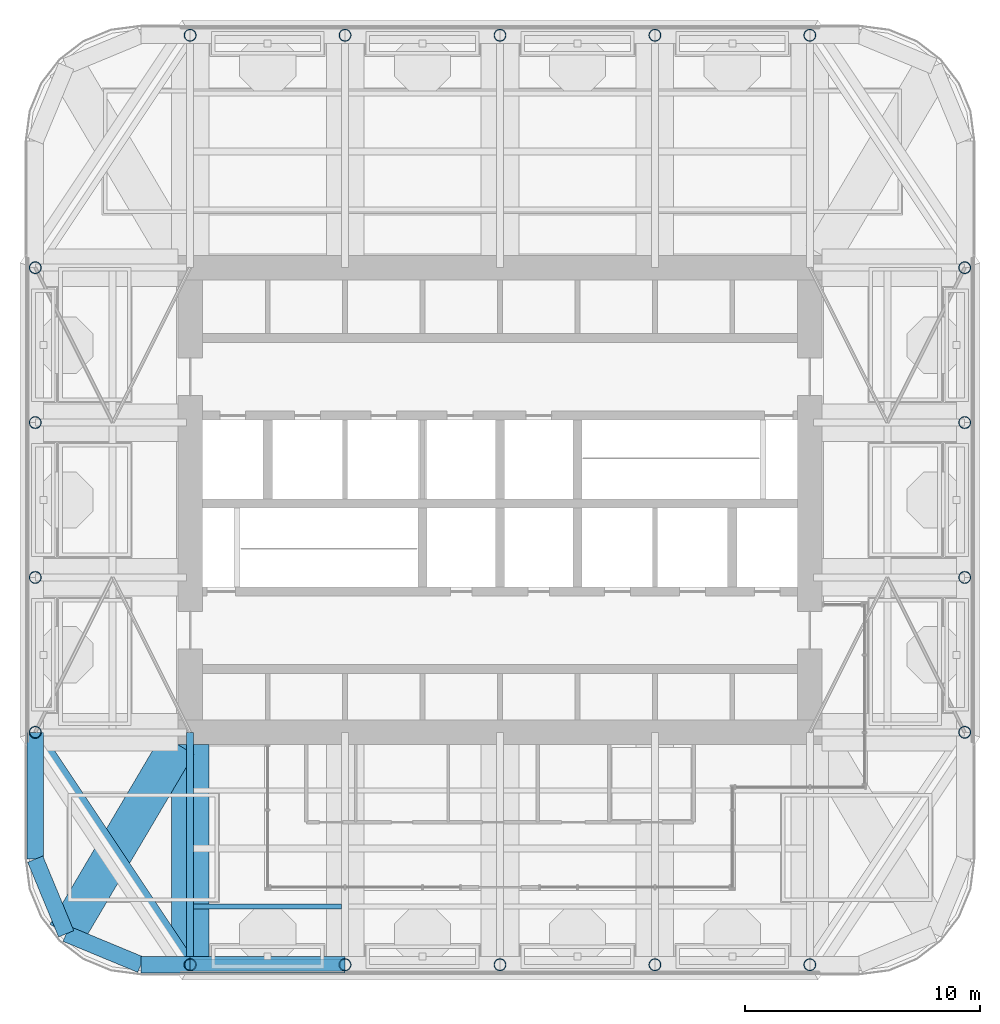
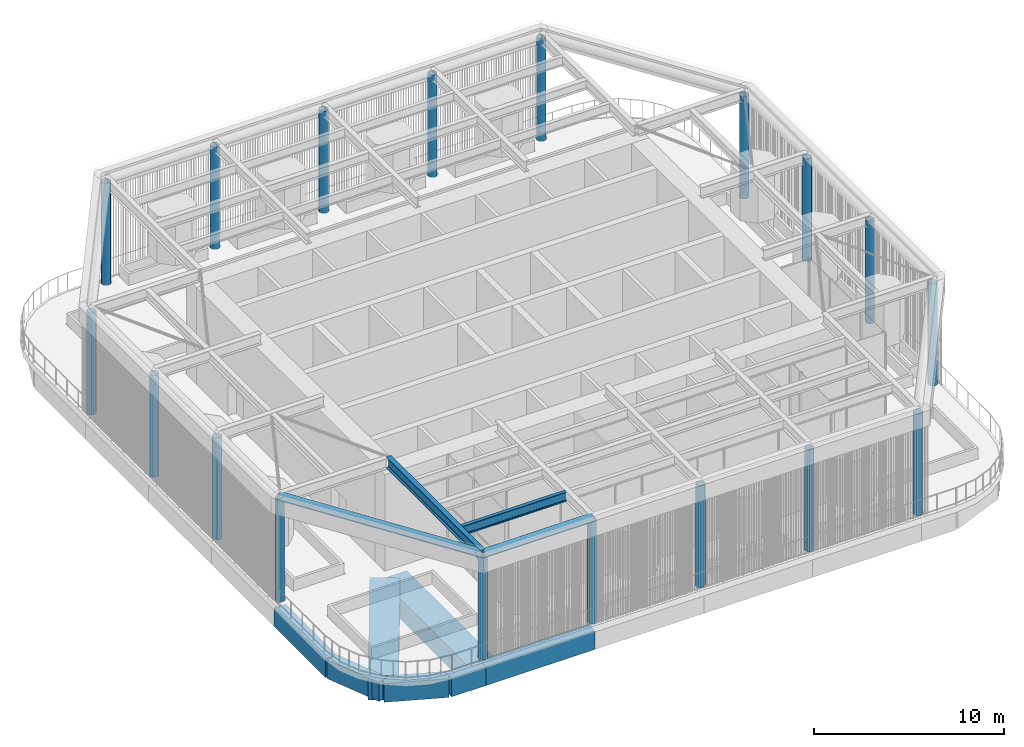
# One storey, part 1 of 22: 18 columns, 10 beams, 1 member.
"""IFC4 building model written with IfcOpenShell, lengths in metres."""

from ifc_helpers import new_model, si_unit, direction, frame, origin, origin_2d, place, context, subcontext, project, spatial, rectangle, hollow_circle, i_section, extrude, material, material_profile, profile_set, type_object, element, save


model = new_model("IFC4")

# Units and contexts
model_context = context("Model", 3, precision=1e-05, world=origin(), true_north=direction((0.0, 1.0)))
body_context = subcontext(model_context, "Body", "Model", "MODEL_VIEW")
ifc_project = project(units=[si_unit("LENGTHUNIT", "METRE"), si_unit("AREAUNIT", "SQUARE_METRE"), si_unit("VOLUMEUNIT", "CUBIC_METRE"), si_unit("PLANEANGLEUNIT", "RADIAN"), si_unit("MASSUNIT", "GRAM", prefix="KILO")], contexts=[model_context])

# Site, building, storey
site_placement = place(None, origin())
site = spatial("IfcSite", under=ifc_project, at=site_placement, CompositionType="ELEMENT")
building_placement = place(site_placement, origin())
building = spatial("IfcBuilding", under=site, at=building_placement, Name="Cobogo Forest Laboratory Tower", CompositionType="ELEMENT")
storey_placement = place(building_placement, frame((0.0, 0.0, 292.800048828125)))
storey = spatial("IfcBuildingStorey", under=building, at=storey_placement, Name="RF", CompositionType="ELEMENT", Elevation=292.800048828125)

# Columns
ifc_material_1 = material(Name="Steel S355", Category="steel")
ifc_material_profile_1 = material_profile(ifc_material_1, hollow_circle(Radius=0.25390625, WallThickness=0.01611328125, at=origin_2d()), Name="CHS 508x16")
ifc_profile_set_1 = profile_set([ifc_material_profile_1], Name="Steel S355")
column_type = type_object("IfcColumnType", Name="Crown frame post CHS 508x16", PredefinedType="COLUMN", material=ifc_profile_set_1)
for number, where, z_axis, x_axis, name in (
    (1, (13.199951171875, 3.300048828125, 0.0), (0.0, 0.0, 1.0), (1.0, 0.0, 0.0), "Column CAN-3-A.1 RF"),
    (2, (19.800048828125, 3.300048828125, 0.0), (0.0, 0.0, 1.0), (1.0, 0.0, 0.0), "Column CAN-4-A.1 RF"),
    (3, (26.39990234375, 3.300048828125, 0.0), (0.0, 0.0, 1.0), (1.0, 0.0, 0.0), "Column CAN-5-A.1 RF"),
    (4, (33.0, 3.300048828125, 0.0), (0.0, 0.0, 1.0), (1.0, 0.0, 0.0), "Column CAN-6-A.1 RF"),
    (5, (39.60009765625, 3.300048828125, 0.0), (0.0, 0.0, 1.0), (1.0, 0.0, 0.0), "Column CAN-7-A.1 RF"),
    (6, (6.60009765625, 13.199951171875, 0.0), (0.0, 0.0, 1.0), (1.0, 0.0, 0.0), "Column CAN-2-C RF"),
    (7, (46.199951171875, 13.199951171875, 0.0), (0.0, 0.0, 1.0), (1.0, 0.0, 0.0), "Column CAN-8-C RF"),
    (8, (6.60009765625, 19.800048828125, 0.0), (0.0, 0.0, 1.0), (1.0, 0.0, 0.0), "Column CAN-2-D RF"),
    (9, (46.199951171875, 19.800048828125, 0.0), (0.0, 0.0, 1.0), (1.0, 0.0, 0.0), "Column CAN-8-D RF"),
    (10, (6.60009765625, 26.39990234375, 0.0), (0.0, 0.0, 1.0), (1.0, 0.0, 0.0), "Column CAN-2-E RF"),
    (11, (46.199951171875, 26.39990234375, 0.0), (0.0, 0.0, 1.0), (1.0, 0.0, 0.0), "Column CAN-8-E RF"),
    (12, (6.60009765625, 33.0, 0.0), (0.0, 0.0, 1.0), (1.0, 0.0, 0.0), "Column CAN-2-F RF"),
    (13, (46.199951171875, 33.0, 0.0), (0.0, 0.0, 1.0), (1.0, 0.0, 0.0), "Column CAN-8-F RF"),
    (14, (13.199951171875, 42.89990234375, 0.0), (0.0, 0.0, 1.0), (1.0, 0.0, 0.0), "Column CAN-3-G.1 RF"),
    (15, (19.800048828125, 42.89990234375, 0.0), (0.0, 0.0, 1.0), (1.0, 0.0, 0.0), "Column CAN-4-G.1 RF"),
    (16, (26.39990234375, 42.89990234375, 0.0), (0.0, 0.0, 1.0), (1.0, 0.0, 0.0), "Column CAN-5-G.1 RF"),
    (17, (33.0, 42.89990234375, 0.0), (0.0, 0.0, 1.0), (1.0, 0.0, 0.0), "Column CAN-6-G.1 RF"),
    (18, (39.60009765625, 42.89990234375, 0.0), (0.0, 0.0, 1.0), (1.0, 0.0, 0.0), "Column CAN-7-G.1 RF"),
):
    element("IfcColumn", number, at=place(storey_placement, frame(where, z_axis=z_axis, x_axis=x_axis)), inside=storey, type_object=column_type, Name=name, PredefinedType="COLUMN", context=body_context, shape_type="SweptSolid", body=[
        extrude(hollow_circle(Radius=0.25390625, WallThickness=0.01611328125, at=origin_2d()), origin(), (0.0, 0.0, 1.0), 6.550048828125),
    ])

# Beam
ifc_material_profile_2 = material_profile(ifc_material_1, i_section(OverallWidth=0.300048828125, OverallDepth=0.699951171875, WebThickness=0.01708984375, FlangeThickness=0.031982421875, FilletRadius=0.027099609375, at=origin_2d()), Name="HEB 700")
ifc_profile_set_2 = profile_set([ifc_material_profile_2], Name="Steel S355")
beam_type_1 = type_object("IfcBeamType", Name="Crown frame girder HEB 700", PredefinedType="BEAM", material=ifc_profile_set_2)
beam_1_placement = place(storey_placement, frame((13.199951171875, 3.300048828125, 6.550048828125), z_axis=(0.0, 1.0, 0.0), x_axis=(-1.0, 0.0, 0.0)))
element("IfcBeam", 19, at=beam_1_placement, inside=storey, type_object=beam_type_1, Name="SG1 3-1", PredefinedType="BEAM", context=body_context, shape_type="SweptSolid", body=[
    extrude(i_section(OverallWidth=0.300048828125, OverallDepth=0.699951171875, WebThickness=0.01708984375, FlangeThickness=0.031982421875, FilletRadius=0.027099609375, at=origin_2d()), origin(), (0.0, 0.0, 1.0), 9.89990234375),
])

# Member
ifc_material_profile_3 = material_profile(ifc_material_1, i_section(OverallWidth=0.219970703125, OverallDepth=0.60009765625, WebThickness=0.011962890625, FlangeThickness=0.01904296875, FilletRadius=0.02392578125, at=origin_2d()), Name="IPE 600")
ifc_profile_set_3 = profile_set([ifc_material_profile_3], Name="Steel S355")
member_type = type_object("IfcMemberType", Name="Crown frame intermediate purlin IPE 600", PredefinedType="PURLIN", material=ifc_profile_set_3)
member_placement = place(storey_placement, frame((13.35009765625, 5.77490234375, 6.599853515625), z_axis=(1.0, 0.0, 0.0), x_axis=(0.0, 1.0, 0.0)))
element("IfcMember", 20, at=member_placement, inside=storey, type_object=member_type, Name="SP2 canopy purlin S1-1", PredefinedType="PURLIN", context=body_context, shape_type="SweptSolid", body=[
    extrude(i_section(OverallWidth=0.219970703125, OverallDepth=0.60009765625, WebThickness=0.011962890625, FlangeThickness=0.01904296875, FilletRadius=0.02392578125, at=origin_2d()), origin(), (0.0, 0.0, 1.0), 6.2998046875),
])

# Beams
ifc_material_profile_4 = material_profile(ifc_material_1, hollow_circle(Radius=0.25390625, WallThickness=0.01611328125, at=origin_2d()), Name="CHS 508x16")
ifc_profile_set_4 = profile_set([ifc_material_profile_4], Name="Steel S355")
beam_type_2 = type_object("IfcBeamType", Name="Crown frame ring CHS 508x16", PredefinedType="BEAM", material=ifc_profile_set_4)
beam_2_placement = place(storey_placement, frame((13.199951171875, 3.300048828125, 6.64599609375), z_axis=(1.0, 0.0, 0.0), x_axis=(0.0, 1.0, 0.0)))
element("IfcBeam", 21, at=beam_2_placement, inside=storey, type_object=beam_type_2, Name="SE1 S1", PredefinedType="BEAM", context=body_context, shape_type="SweptSolid", body=[
    extrude(hollow_circle(Radius=0.25390625, WallThickness=0.01611328125, at=origin_2d()), origin(), (0.0, 0.0, 1.0), 6.60009765625),
])
beam_3_placement = place(storey_placement, frame((13.199951171875, 3.300048828125, 6.64599609375), z_axis=(-0.554695461017, 0.832053451124, 0.0), x_axis=(-0.832053451124, -0.554695461017, 0.0)))
element("IfcBeam", 22, at=beam_3_placement, inside=storey, type_object=beam_type_2, Name="SE1 SW", PredefinedType="BEAM", context=body_context, shape_type="SweptSolid", body=[
    extrude(hollow_circle(Radius=0.25390625, WallThickness=0.01611328125, at=origin_2d()), origin(), (0.0, 0.0, 1.0), 11.898193359375),
])
ifc_material_2 = material(Name="Concrete HA-40 (C40/50)", Category="concrete")
ifc_material_profile_5 = material_profile(ifc_material_2, rectangle(XDim=0.699951171875, YDim=1.199951171875, at=origin_2d()), Name="RC 700x1200")
ifc_profile_set_5 = profile_set([ifc_material_profile_5], Name="Concrete HA-40 (C40/50)")
beam_type_3 = type_object("IfcBeamType", Name="Perimeter edge beam 700x1200", PredefinedType="BEAM", material=ifc_profile_set_5)
beam_4_placement = place(storey_placement, frame((13.199951171875, 3.300048828125, -1.0), z_axis=(1.0, 0.0, 0.0), x_axis=(0.0, 1.0, 0.0)))
element("IfcBeam", 23, at=beam_4_placement, inside=storey, type_object=beam_type_3, Name="EB1 E-S1 RF", PredefinedType="BEAM", context=body_context, shape_type="SweptSolid", body=[
    extrude(rectangle(XDim=0.699951171875, YDim=1.199951171875, at=origin_2d()), origin(), (0.0, 0.0, 1.0), 6.60009765625),
])
beam_5_placement = place(storey_placement, frame((13.199951171875, 3.300048828125, -1.0), z_axis=(-1.0, 0.0, 0.0), x_axis=(0.0, -1.0, 0.0)))
element("IfcBeam", 24, at=beam_5_placement, inside=storey, type_object=beam_type_3, Name="EB1 E-SWS1 RF", PredefinedType="BEAM", context=body_context, shape_type="SweptSolid", body=[
    extrude(rectangle(XDim=0.699951171875, YDim=1.199951171875, at=origin_2d()), origin(), (0.0, 0.0, 1.0), 2.099853515625),
])
beam_6_placement = place(storey_placement, frame((11.10009765625, 3.300048828125, -1.0), z_axis=(-0.923901072997, 0.382631424892, 0.0), x_axis=(-0.382631424892, -0.923901072997, 0.0)))
element("IfcBeam", 25, at=beam_6_placement, inside=storey, type_object=beam_type_3, Name="EB1 E-SWS2 RF", PredefinedType="BEAM", context=body_context, shape_type="SweptSolid", body=[
    extrude(rectangle(XDim=0.699951171875, YDim=1.199951171875, at=origin_2d()), origin(), (0.0, 0.0, 1.0), 3.4443359375),
])
beam_7_placement = place(storey_placement, frame((6.60009765625, 13.199951171875, -1.0), z_axis=(0.0, -1.0, 0.0), x_axis=(1.0, 0.0, 0.0)))
element("IfcBeam", 26, at=beam_7_placement, inside=storey, type_object=beam_type_3, Name="EB1 E-SWW1 RF", PredefinedType="BEAM", context=body_context, shape_type="SweptSolid", body=[
    extrude(rectangle(XDim=0.699951171875, YDim=1.199951171875, at=origin_2d()), origin(), (0.0, 0.0, 1.0), 5.39990234375),
])
beam_8_placement = place(storey_placement, frame((6.60009765625, 7.800048828125, -1.0), z_axis=(0.382631424892, -0.923901072997, 0.0), x_axis=(0.923901072997, 0.382631424892, 0.0)))
element("IfcBeam", 27, at=beam_8_placement, inside=storey, type_object=beam_type_3, Name="EB1 E-SWW2 RF", PredefinedType="BEAM", context=body_context, shape_type="SweptSolid", body=[
    extrude(rectangle(XDim=0.699951171875, YDim=1.199951171875, at=origin_2d()), origin(), (0.0, 0.0, 1.0), 3.4443359375),
])
ifc_material_profile_6 = material_profile(ifc_material_2, rectangle(XDim=1.60009765625, YDim=1.300048828125, at=origin_2d()), Name="RC 1600x1300")
ifc_profile_set_6 = profile_set([ifc_material_profile_6], Name="Concrete HA-40 (C40/50)")
beam_type_4 = type_object("IfcBeamType", Name="Plant and roof garden wide beam 1600x1300", PredefinedType="BEAM", material=ifc_profile_set_6)
beam_9_placement = place(storey_placement, frame((13.199951171875, 12.675048828125, -1.050048828125), z_axis=(0.0, -1.0, 0.0), x_axis=(1.0, 0.0, 0.0)))
element("IfcBeam", 28, at=beam_9_placement, inside=storey, type_object=beam_type_4, Name="RB4 R-3-S RF", PredefinedType="BEAM", context=body_context, shape_type="SweptSolid", body=[
    extrude(rectangle(XDim=1.60009765625, YDim=1.300048828125, at=origin_2d()), origin(), (0.0, 0.0, 1.0), 9.375),
])
beam_10_placement = place(storey_placement, frame((7.91796875, 4.617919921875, -1.050048828125), z_axis=(0.508416325908, 0.861111397875, 0.0), x_axis=(-0.861111397875, 0.508416325908, 0.0)))
element("IfcBeam", 29, at=beam_10_placement, inside=storey, type_object=beam_type_4, Name="RB4 G-SW-D1 RF", PredefinedType="BEAM", context=body_context, shape_type="SweptSolid", body=[
    extrude(rectangle(XDim=1.60009765625, YDim=1.300048828125, at=origin_2d()), origin(), (0.0, 0.0, 1.0), 9.356689453125),
])

save(model, "model.ifc")
